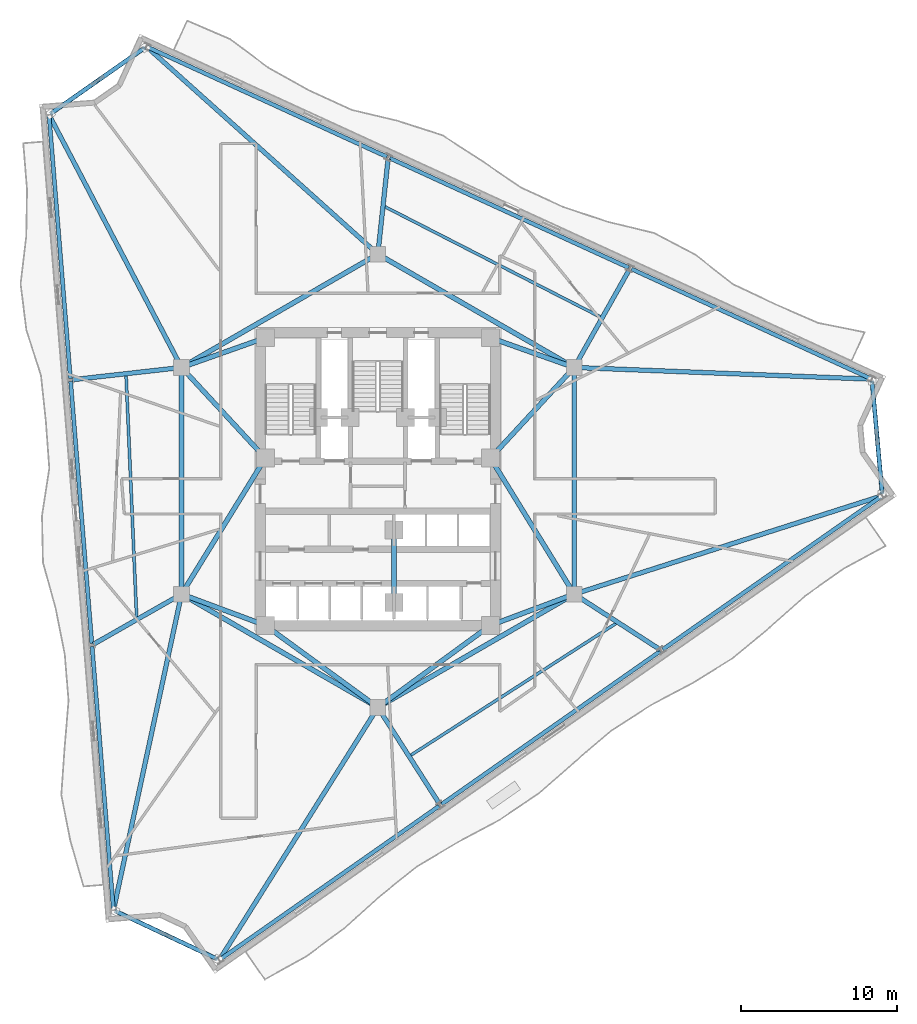
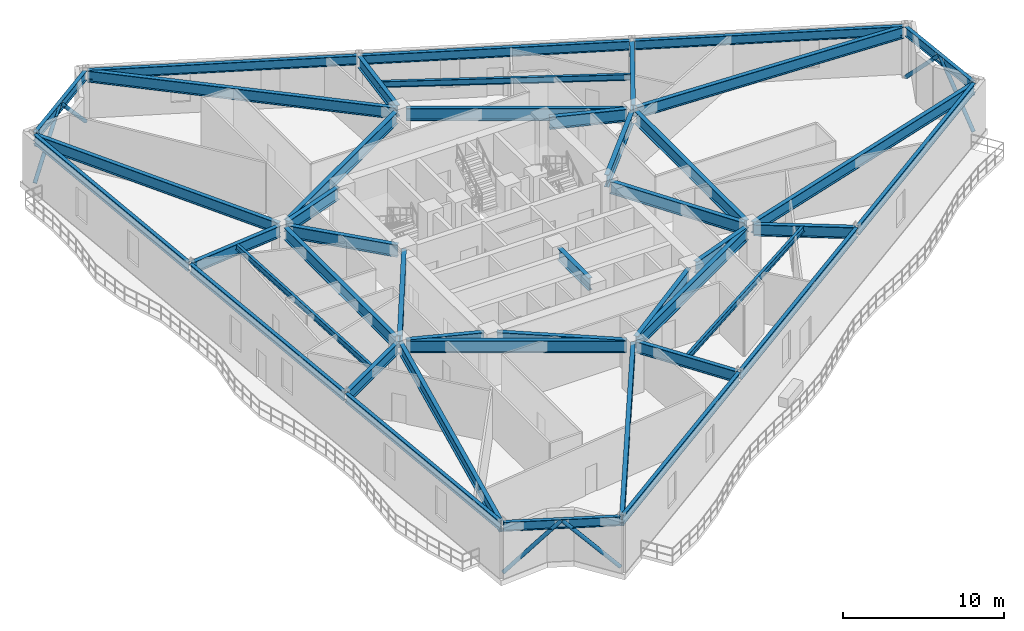
# One storey, part 3 of 14: 44 beams, 6 members.
"""IFC4 building model written with IfcOpenShell, lengths in metres."""

from ifc_helpers import new_model, si_unit, direction, frame, origin, origin_2d, place, context, subcontext, project, spatial, hollow_circle, i_section, extrude, material, material_profile, profile_set, type_object, element, save


model = new_model("IFC4")

# Units and contexts
model_context = context("Model", 3, precision=1e-05, world=origin(), true_north=direction((0.0, 1.0)))
body_context = subcontext(model_context, "Body", "Model", "MODEL_VIEW")
ifc_project = project(units=[si_unit("LENGTHUNIT", "METRE"), si_unit("AREAUNIT", "SQUARE_METRE"), si_unit("VOLUMEUNIT", "CUBIC_METRE"), si_unit("PLANEANGLEUNIT", "RADIAN"), si_unit("MASSUNIT", "GRAM", prefix="KILO")], contexts=[model_context])

# Site, building, storey
site_placement = place(None, origin())
site = spatial("IfcSite", under=ifc_project, at=site_placement, CompositionType="ELEMENT")
building_placement = place(site_placement, origin())
building = spatial("IfcBuilding", under=site, at=building_placement, Name="Apsidion Concourse Tower", CompositionType="ELEMENT")
storey_placement = place(building_placement, frame((0.0, 0.0, 194.199951171875)))
storey = spatial("IfcBuildingStorey", under=building, at=storey_placement, Name="L45", CompositionType="ELEMENT", Elevation=194.199951171875)

# Beams
ifc_material_1 = material(Name="Structural steel ASTM A992 Grade 50", Category="steel")
ifc_material_profile_1 = material_profile(ifc_material_1, i_section(OverallWidth=0.19091796875, OverallDepth=0.45703125, WebThickness=0.009033203125, FlangeThickness=0.014404296875, at=origin_2d()), Name="W18X50")
ifc_profile_set_1 = profile_set([ifc_material_profile_1], Name="Structural steel ASTM A992 Grade 50")
beam_type_1 = type_object("IfcBeamType", Name="BM-FL-W18", PredefinedType="BEAM", material=ifc_profile_set_1)
beam_1_placement = place(storey_placement, frame((-16.11181640625, 6.8505859375, 3.62158203125), z_axis=(0.043631006422, -0.999047714215, 0.0), x_axis=(0.999047714215, 0.043631006422, 0.0)))
element("IfcBeam", 1, at=beam_1_placement, inside=storey, type_object=beam_type_1, Name="L45 Secondary Floor Beam SEC-F1", PredefinedType="BEAM", context=body_context, shape_type="SweptSolid", body=[
    extrude(i_section(OverallWidth=0.19091796875, OverallDepth=0.45703125, WebThickness=0.009033203125, FlangeThickness=0.014404296875, at=origin_2d()), origin(), (0.0, 0.0, 1.0), 15.745849609375),
])
beam_2_placement = place(storey_placement, frame((1.998291015625, -17.62744140625, 3.62158203125), z_axis=(0.841372392943, 0.540455822796, 0.0), x_axis=(-0.540455822796, 0.841372392943, 0.0)))
element("IfcBeam", 2, at=beam_2_placement, inside=storey, type_object=beam_type_1, Name="L45 Secondary Floor Beam SEC-F2", PredefinedType="BEAM", context=body_context, shape_type="SweptSolid", body=[
    extrude(i_section(OverallWidth=0.19091796875, OverallDepth=0.45703125, WebThickness=0.009033203125, FlangeThickness=0.014404296875, at=origin_2d()), origin(), (0.0, 0.0, 1.0), 15.866943359375),
])
beam_3_placement = place(storey_placement, frame((14.345947265625, 10.4208984375, 3.62158203125), z_axis=(-0.89021964365, 0.455531542332, 0.0), x_axis=(-0.455531542332, -0.89021964365, 0.0)))
element("IfcBeam", 3, at=beam_3_placement, inside=storey, type_object=beam_type_1, Name="L45 Secondary Floor Beam SEC-F3", PredefinedType="BEAM", context=body_context, shape_type="SweptSolid", body=[
    extrude(i_section(OverallWidth=0.19091796875, OverallDepth=0.45703125, WebThickness=0.009033203125, FlangeThickness=0.014404296875, at=origin_2d()), origin(), (0.0, 0.0, 1.0), 15.742431640625),
])
ifc_material_profile_2 = material_profile(ifc_material_1, i_section(OverallWidth=0.2919921875, OverallDepth=0.85888671875, WebThickness=0.01708984375, FlangeThickness=0.031005859375, at=origin_2d()), Name="W33X169")
ifc_profile_set_2 = profile_set([ifc_material_profile_2], Name="Structural steel ASTM A992 Grade 50")
beam_type_2 = type_object("IfcBeamType", Name="BM-G-W33", PredefinedType="USERDEFINED", material=ifc_profile_set_2)
beam_4_placement = place(storey_placement, frame((-12.662109375, 7.44482421875, 3.420654296875), z_axis=(-0.464502454228, 0.885571832217, 0.0), x_axis=(-0.885571832217, -0.464502454228, 0.0)))
element("IfcBeam", 4, at=beam_4_placement, inside=storey, type_object=beam_type_2, Name="L45 Radial Floor Girder RAD-01", ObjectType="GIRDER", PredefinedType="USERDEFINED", context=body_context, shape_type="SweptSolid", body=[
    extrude(i_section(OverallWidth=0.2919921875, OverallDepth=0.85888671875, WebThickness=0.01708984375, FlangeThickness=0.031005859375, at=origin_2d()), origin(), (0.0, 0.0, 1.0), 17.93115234375),
])
beam_5_placement = place(storey_placement, frame((-12.778564453125, 7.225341796875, 3.420654296875), z_axis=(-0.993738563009, -0.111730337821, 0.0), x_axis=(0.111730337821, -0.993738563009, 0.0)))
element("IfcBeam", 5, at=beam_5_placement, inside=storey, type_object=beam_type_2, Name="L45 Radial Floor Girder RAD-02", ObjectType="GIRDER", PredefinedType="USERDEFINED", context=body_context, shape_type="SweptSolid", body=[
    extrude(i_section(OverallWidth=0.2919921875, OverallDepth=0.85888671875, WebThickness=0.01708984375, FlangeThickness=0.031005859375, at=origin_2d()), origin(), (0.0, 0.0, 1.0), 6.828369140625),
])
beam_6_placement = place(storey_placement, frame((-12.751220703125, -7.35888671875, 3.420654296875), z_axis=(-0.869137581248, -0.494570384134, 0.0), x_axis=(0.494570384134, -0.869137581248, 0.0)))
element("IfcBeam", 6, at=beam_6_placement, inside=storey, type_object=beam_type_2, Name="L45 Radial Floor Girder RAD-03", ObjectType="GIRDER", PredefinedType="USERDEFINED", context=body_context, shape_type="SweptSolid", body=[
    extrude(i_section(OverallWidth=0.2919921875, OverallDepth=0.85888671875, WebThickness=0.01708984375, FlangeThickness=0.031005859375, at=origin_2d()), origin(), (0.0, 0.0, 1.0), 6.272216796875),
])
beam_7_placement = place(storey_placement, frame((-12.606201171875, -7.465087890625, 3.420654296875), z_axis=(-0.210551493457, -0.97758276816, 0.0), x_axis=(0.97758276816, -0.210551493457, 0.0)))
element("IfcBeam", 7, at=beam_7_placement, inside=storey, type_object=beam_type_2, Name="L45 Radial Floor Girder RAD-04", ObjectType="GIRDER", PredefinedType="USERDEFINED", context=body_context, shape_type="SweptSolid", body=[
    extrude(i_section(OverallWidth=0.2919921875, OverallDepth=0.85888671875, WebThickness=0.01708984375, FlangeThickness=0.031005859375, at=origin_2d()), origin(), (0.0, 0.0, 1.0), 20.365966796875),
])
beam_8_placement = place(storey_placement, frame((-0.116943359375, -14.686279296875, 3.420654296875), z_axis=(-0.531745770751, -0.846904029562, 0.0), x_axis=(0.846904029562, -0.531745770751, 0.0)))
element("IfcBeam", 8, at=beam_8_placement, inside=storey, type_object=beam_type_2, Name="L45 Radial Floor Girder RAD-05", ObjectType="GIRDER", PredefinedType="USERDEFINED", context=body_context, shape_type="SweptSolid", body=[
    extrude(i_section(OverallWidth=0.2919921875, OverallDepth=0.85888671875, WebThickness=0.01708984375, FlangeThickness=0.031005859375, at=origin_2d()), origin(), (0.0, 0.0, 1.0), 18.7568359375),
])
beam_9_placement = place(storey_placement, frame((0.118408203125, -14.685302734375, 3.420654296875), z_axis=(0.538373682335, -0.842706222933, 0.0), x_axis=(0.842706222933, 0.538373682335, 0.0)))
element("IfcBeam", 9, at=beam_9_placement, inside=storey, type_object=beam_type_2, Name="L45 Radial Floor Girder RAD-06", ObjectType="GIRDER", PredefinedType="USERDEFINED", context=body_context, shape_type="SweptSolid", body=[
    extrude(i_section(OverallWidth=0.2919921875, OverallDepth=0.85888671875, WebThickness=0.01708984375, FlangeThickness=0.031005859375, at=origin_2d()), origin(), (0.0, 0.0, 1.0), 7.102783203125),
])
beam_10_placement = place(storey_placement, frame((12.744873046875, -7.369384765625, 3.420654296875), z_axis=(0.839870608356, -0.542786662714, 0.0), x_axis=(0.542786662714, 0.839870608356, 0.0)))
element("IfcBeam", 10, at=beam_10_placement, inside=storey, type_object=beam_type_2, Name="L45 Radial Floor Girder RAD-07", ObjectType="GIRDER", PredefinedType="USERDEFINED", context=body_context, shape_type="SweptSolid", body=[
    extrude(i_section(OverallWidth=0.2919921875, OverallDepth=0.85888671875, WebThickness=0.01708984375, FlangeThickness=0.031005859375, at=origin_2d()), origin(), (0.0, 0.0, 1.0), 6.319580078125),
])
beam_11_placement = place(storey_placement, frame((12.76953125, -7.18310546875, 3.420654296875), z_axis=(0.952593847726, 0.304244903449, 0.0), x_axis=(-0.304244903449, 0.952593847726, 0.0)))
element("IfcBeam", 11, at=beam_11_placement, inside=storey, type_object=beam_type_2, Name="L45 Radial Floor Girder RAD-08", ObjectType="GIRDER", PredefinedType="USERDEFINED", context=body_context, shape_type="SweptSolid", body=[
    extrude(i_section(OverallWidth=0.2919921875, OverallDepth=0.85888671875, WebThickness=0.01708984375, FlangeThickness=0.031005859375, at=origin_2d()), origin(), (0.0, 0.0, 1.0), 20.378173828125),
])
beam_12_placement = place(storey_placement, frame((12.77978515625, 7.2412109375, 3.420654296875), z_axis=(0.999223835847, -0.039391951902, 0.0), x_axis=(0.039391951902, 0.999223835847, 0.0)))
element("IfcBeam", 12, at=beam_12_placement, inside=storey, type_object=beam_type_2, Name="L45 Radial Floor Girder RAD-09", ObjectType="GIRDER", PredefinedType="USERDEFINED", context=body_context, shape_type="SweptSolid", body=[
    extrude(i_section(OverallWidth=0.2919921875, OverallDepth=0.85888671875, WebThickness=0.01708984375, FlangeThickness=0.031005859375, at=origin_2d()), origin(), (0.0, 0.0, 1.0), 18.73583984375),
])
beam_13_placement = place(storey_placement, frame((12.66796875, 7.441650390625, 3.420654296875), z_axis=(0.4907642116, 0.871292424283, 0.0), x_axis=(-0.871292424283, 0.4907642116, 0.0)))
element("IfcBeam", 13, at=beam_13_placement, inside=storey, type_object=beam_type_2, Name="L45 Radial Floor Girder RAD-10", ObjectType="GIRDER", PredefinedType="USERDEFINED", context=body_context, shape_type="SweptSolid", body=[
    extrude(i_section(OverallWidth=0.2919921875, OverallDepth=0.85888671875, WebThickness=0.01708984375, FlangeThickness=0.031005859375, at=origin_2d()), origin(), (0.0, 0.0, 1.0), 6.95849609375),
])
beam_14_placement = place(storey_placement, frame((0.0234375, 14.71875, 3.420654296875), z_axis=(0.106642710953, 0.994297406313, 0.0), x_axis=(-0.994297406313, 0.106642710953, 0.0)))
element("IfcBeam", 14, at=beam_14_placement, inside=storey, type_object=beam_type_2, Name="L45 Radial Floor Girder RAD-11", ObjectType="GIRDER", PredefinedType="USERDEFINED", context=body_context, shape_type="SweptSolid", body=[
    extrude(i_section(OverallWidth=0.2919921875, OverallDepth=0.85888671875, WebThickness=0.01708984375, FlangeThickness=0.031005859375, at=origin_2d()), origin(), (0.0, 0.0, 1.0), 5.899658203125),
])
beam_15_placement = place(storey_placement, frame((-0.163818359375, 14.64697265625, 3.420654296875), z_axis=(-0.74450463884, 0.667617287632, 0.0), x_axis=(-0.667617287632, -0.74450463884, 0.0)))
element("IfcBeam", 15, at=beam_15_placement, inside=storey, type_object=beam_type_2, Name="L45 Radial Floor Girder RAD-12", ObjectType="GIRDER", PredefinedType="USERDEFINED", context=body_context, shape_type="SweptSolid", body=[
    extrude(i_section(OverallWidth=0.2919921875, OverallDepth=0.85888671875, WebThickness=0.01708984375, FlangeThickness=0.031005859375, at=origin_2d()), origin(), (0.0, 0.0, 1.0), 19.566162109375),
])
ifc_material_profile_3 = material_profile(ifc_material_1, i_section(OverallWidth=0.31005859375, OverallDepth=0.931884765625, WebThickness=0.02099609375, FlangeThickness=0.034423828125, at=origin_2d()), Name="W36X210")
ifc_profile_set_3 = profile_set([ifc_material_profile_3], Name="Structural steel ASTM A992 Grade 50")
beam_type_3 = type_object("IfcBeamType", Name="BM-G-W36", PredefinedType="USERDEFINED", material=ifc_profile_set_3)
beam_16_placement = place(storey_placement, frame((-12.185302734375, -7.389892578125, 3.384033203125), z_axis=(0.936913021145, -0.349562570664, 0.0), x_axis=(0.349562570664, 0.936913021145, 0.0)))
element("IfcBeam", 16, at=beam_16_placement, inside=storey, type_object=beam_type_3, Name="L45 Core Coupling Girder IC1-SC1", ObjectType="GIRDER", PredefinedType="USERDEFINED", context=body_context, shape_type="SweptSolid", body=[
    extrude(i_section(OverallWidth=0.31005859375, OverallDepth=0.931884765625, WebThickness=0.02099609375, FlangeThickness=0.034423828125, at=origin_2d()), origin(), (0.0, 0.0, 1.0), 4.921142578125),
])
beam_17_placement = place(storey_placement, frame((-12.35009765625, -6.909423828125, 3.384033203125), z_axis=(0.524524009763, 0.851395656074, 0.0), x_axis=(-0.851395656074, 0.524524009763, 0.0)))
element("IfcBeam", 17, at=beam_17_placement, inside=storey, type_object=beam_type_3, Name="L45 Core Coupling Girder IC1-SC6", ObjectType="GIRDER", PredefinedType="USERDEFINED", context=body_context, shape_type="SweptSolid", body=[
    extrude(i_section(OverallWidth=0.31005859375, OverallDepth=0.931884765625, WebThickness=0.02099609375, FlangeThickness=0.034423828125, at=origin_2d()), origin(), (0.0, 0.0, 1.0), 9.41845703125),
])
beam_18_placement = place(storey_placement, frame((12.185302734375, -7.389892578125, 3.384033203125), z_axis=(-0.936913021145, -0.349562570664, 0.0), x_axis=(0.349562570664, -0.936913021145, 0.0)))
element("IfcBeam", 18, at=beam_18_placement, inside=storey, type_object=beam_type_3, Name="L45 Core Coupling Girder IC2-SC2", ObjectType="GIRDER", PredefinedType="USERDEFINED", context=body_context, shape_type="SweptSolid", body=[
    extrude(i_section(OverallWidth=0.31005859375, OverallDepth=0.931884765625, WebThickness=0.02099609375, FlangeThickness=0.034423828125, at=origin_2d()), origin(), (0.0, 0.0, 1.0), 4.921142578125),
])
beam_19_placement = place(storey_placement, frame((12.35009765625, -6.909423828125, 3.384033203125), z_axis=(-0.524524009763, 0.851395656074, 0.0), x_axis=(-0.851395656074, -0.524524009763, 0.0)))
element("IfcBeam", 19, at=beam_19_placement, inside=storey, type_object=beam_type_3, Name="L45 Core Coupling Girder IC2-SC3", ObjectType="GIRDER", PredefinedType="USERDEFINED", context=body_context, shape_type="SweptSolid", body=[
    extrude(i_section(OverallWidth=0.31005859375, OverallDepth=0.931884765625, WebThickness=0.02099609375, FlangeThickness=0.034423828125, at=origin_2d()), origin(), (0.0, 0.0, 1.0), 9.41845703125),
])
beam_20_placement = place(storey_placement, frame((12.28857421875, 6.956298828125, 3.384033203125), z_axis=(-0.678712876106, -0.73440372535, 0.0), x_axis=(0.73440372535, -0.678712876106, 0.0)))
element("IfcBeam", 20, at=beam_20_placement, inside=storey, type_object=beam_type_3, Name="L45 Core Coupling Girder IC3-SC3", ObjectType="GIRDER", PredefinedType="USERDEFINED", context=body_context, shape_type="SweptSolid", body=[
    extrude(i_section(OverallWidth=0.31005859375, OverallDepth=0.931884765625, WebThickness=0.02099609375, FlangeThickness=0.034423828125, at=origin_2d()), origin(), (0.0, 0.0, 1.0), 7.097412109375),
])
beam_21_placement = place(storey_placement, frame((12.18310546875, 7.383544921875, 3.384033203125), z_axis=(-0.942533844539, 0.334110688094, 0.0), x_axis=(-0.334110688094, -0.942533844539, 0.0)))
element("IfcBeam", 21, at=beam_21_placement, inside=storey, type_object=beam_type_3, Name="L45 Core Coupling Girder IC3-SC4", ObjectType="GIRDER", PredefinedType="USERDEFINED", context=body_context, shape_type="SweptSolid", body=[
    extrude(i_section(OverallWidth=0.31005859375, OverallDepth=0.931884765625, WebThickness=0.02099609375, FlangeThickness=0.034423828125, at=origin_2d()), origin(), (0.0, 0.0, 1.0), 4.886962890625),
])
beam_22_placement = place(storey_placement, frame((-12.28857421875, 6.956298828125, 3.384033203125), z_axis=(0.678712876106, -0.73440372535, 0.0), x_axis=(0.73440372535, 0.678712876106, 0.0)))
element("IfcBeam", 22, at=beam_22_placement, inside=storey, type_object=beam_type_3, Name="L45 Core Coupling Girder IC5-SC6", ObjectType="GIRDER", PredefinedType="USERDEFINED", context=body_context, shape_type="SweptSolid", body=[
    extrude(i_section(OverallWidth=0.31005859375, OverallDepth=0.931884765625, WebThickness=0.02099609375, FlangeThickness=0.034423828125, at=origin_2d()), origin(), (0.0, 0.0, 1.0), 7.097412109375),
])
beam_23_placement = place(storey_placement, frame((-12.18310546875, 7.383544921875, 3.384033203125), z_axis=(0.942533844539, 0.334110688094, 0.0), x_axis=(-0.334110688094, 0.942533844539, 0.0)))
element("IfcBeam", 23, at=beam_23_placement, inside=storey, type_object=beam_type_3, Name="L45 Core Coupling Girder IC5-SC5", ObjectType="GIRDER", PredefinedType="USERDEFINED", context=body_context, shape_type="SweptSolid", body=[
    extrude(i_section(OverallWidth=0.31005859375, OverallDepth=0.931884765625, WebThickness=0.02099609375, FlangeThickness=0.034423828125, at=origin_2d()), origin(), (0.0, 0.0, 1.0), 4.886962890625),
])
for number, where, z_axis, x_axis, name in (
    (24, (-0.3232421875, -14.264404296875, 3.384033203125), (-0.807993498909, 0.589191399905, 0.0), (-0.589191399905, -0.807993498909, 0.0), "L45 Core Coupling Girder IC6-SC1"),
    (25, (0.3232421875, -14.264404296875, 3.384033203125), (0.807993498909, 0.589191399905, 0.0), (-0.589191399905, 0.807993498909, 0.0), "L45 Core Coupling Girder IC6-SC2"),
):
    element("IfcBeam", number, at=place(storey_placement, frame(where, z_axis=z_axis, x_axis=x_axis)), inside=storey, type_object=beam_type_3, Name=name, ObjectType="GIRDER", PredefinedType="USERDEFINED", context=body_context, shape_type="SweptSolid", body=[
        extrude(i_section(OverallWidth=0.31005859375, OverallDepth=0.931884765625, WebThickness=0.02099609375, FlangeThickness=0.034423828125, at=origin_2d()), origin(), (0.0, 0.0, 1.0), 8.11083984375),
    ])
beam_24_placement = place(storey_placement, frame((-12.56005859375, -6.85009765625, 3.384033203125), z_axis=(0.0, 1.0, 0.0), x_axis=(-1.0, 0.0, 0.0)))
element("IfcBeam", 26, at=beam_24_placement, inside=storey, type_object=beam_type_3, Name="L45 Core Coupling Girder IC1-IC5", ObjectType="GIRDER", PredefinedType="USERDEFINED", context=body_context, shape_type="SweptSolid", body=[
    extrude(i_section(OverallWidth=0.31005859375, OverallDepth=0.931884765625, WebThickness=0.02099609375, FlangeThickness=0.034423828125, at=origin_2d()), origin(), (0.0, 0.0, 1.0), 13.7001953125),
])
for number, where, z_axis, x_axis, name in (
    (27, (-12.213623046875, 7.449951171875, 3.384033203125), (0.866070471464, 0.499921932364, 0.0), (-0.499921932364, 0.866070471464, 0.0), "L45 Core Coupling Girder IC5-IC4"),
    (28, (0.346435546875, 14.300048828125, 3.384033203125), (0.866070471464, -0.499921932364, 0.0), (0.499921932364, 0.866070471464, 0.0), "L45 Core Coupling Girder IC4-IC3"),
):
    element("IfcBeam", number, at=place(storey_placement, frame(where, z_axis=z_axis, x_axis=x_axis)), inside=storey, type_object=beam_type_3, Name=name, ObjectType="GIRDER", PredefinedType="USERDEFINED", context=body_context, shape_type="SweptSolid", body=[
        extrude(i_section(OverallWidth=0.31005859375, OverallDepth=0.931884765625, WebThickness=0.02099609375, FlangeThickness=0.034423828125, at=origin_2d()), origin(), (0.0, 0.0, 1.0), 13.702392578125),
    ])
beam_25_placement = place(storey_placement, frame((12.56005859375, 6.85009765625, 3.384033203125), z_axis=(0.0, -1.0, 0.0), x_axis=(1.0, 0.0, 0.0)))
element("IfcBeam", 29, at=beam_25_placement, inside=storey, type_object=beam_type_3, Name="L45 Core Coupling Girder IC3-IC2", ObjectType="GIRDER", PredefinedType="USERDEFINED", context=body_context, shape_type="SweptSolid", body=[
    extrude(i_section(OverallWidth=0.31005859375, OverallDepth=0.931884765625, WebThickness=0.02099609375, FlangeThickness=0.034423828125, at=origin_2d()), origin(), (0.0, 0.0, 1.0), 13.7001953125),
])
for number, where, z_axis, x_axis, name in (
    (30, (12.213623046875, -7.449951171875, 3.384033203125), (-0.866070471464, -0.499921932364, 0.0), (0.499921932364, -0.866070471464, 0.0), "L45 Core Coupling Girder IC2-IC6"),
    (31, (-0.346435546875, -14.300048828125, 3.384033203125), (-0.866070471464, 0.499921932364, 0.0), (-0.499921932364, -0.866070471464, 0.0), "L45 Core Coupling Girder IC6-IC1"),
):
    element("IfcBeam", number, at=place(storey_placement, frame(where, z_axis=z_axis, x_axis=x_axis)), inside=storey, type_object=beam_type_3, Name=name, ObjectType="GIRDER", PredefinedType="USERDEFINED", context=body_context, shape_type="SweptSolid", body=[
        extrude(i_section(OverallWidth=0.31005859375, OverallDepth=0.931884765625, WebThickness=0.02099609375, FlangeThickness=0.034423828125, at=origin_2d()), origin(), (0.0, 0.0, 1.0), 13.702392578125),
    ])
beam_26_placement = place(storey_placement, frame((1.02490234375, -3.550048828125, 3.384033203125), z_axis=(0.0, -1.0, 0.0), x_axis=(1.0, 0.0, 0.0)))
element("IfcBeam", 32, at=beam_26_placement, inside=storey, type_object=beam_type_3, Name="L45 Core Coupling Girder CC5-CC6", ObjectType="GIRDER", PredefinedType="USERDEFINED", context=body_context, shape_type="SweptSolid", body=[
    extrude(i_section(OverallWidth=0.31005859375, OverallDepth=0.931884765625, WebThickness=0.02099609375, FlangeThickness=0.034423828125, at=origin_2d()), origin(), (0.0, 0.0, 1.0), 3.849853515625),
])
ifc_material_profile_4 = material_profile(ifc_material_1, i_section(OverallWidth=0.256103515625, OverallDepth=0.693115234375, WebThickness=0.014404296875, FlangeThickness=0.023681640625, at=origin_2d()), Name="W27X114")
ifc_profile_set_4 = profile_set([ifc_material_profile_4], Name="Structural steel ASTM A992 Grade 50")
beam_type_4 = type_object("IfcBeamType", Name="BM-SP-W27", PredefinedType="SPANDREL", material=ifc_profile_set_4)
for number, where, z_axis, x_axis, name in (
    (33, (-21.029541015625, 23.31298828125, 3.503662109375), (0.080745704709, -0.996734734607, 0.0), (0.996734734607, 0.080745704709, 0.0), "L45 Perimeter Spandrel Girder SP-01"),
    (34, (-19.655517578125, 6.351318359375, 3.503662109375), (0.080745704709, -0.996734734607, 0.0), (0.996734734607, 0.080745704709, 0.0), "L45 Perimeter Spandrel Girder SP-02"),
):
    element("IfcBeam", number, at=place(storey_placement, frame(where, z_axis=z_axis, x_axis=x_axis)), inside=storey, type_object=beam_type_4, Name=name, PredefinedType="SPANDREL", context=body_context, shape_type="SweptSolid", body=[
        extrude(i_section(OverallWidth=0.256103515625, OverallDepth=0.693115234375, WebThickness=0.014404296875, FlangeThickness=0.023681640625, at=origin_2d()), origin(), (0.0, 0.0, 1.0), 16.817138671875),
    ])
beam_27_placement = place(storey_placement, frame((-18.281494140625, -10.610107421875, 3.503662109375), z_axis=(0.080744536336, -0.996734829256, 0.0), x_axis=(0.996734829256, 0.080744536336, 0.0)))
element("IfcBeam", 35, at=beam_27_placement, inside=storey, type_object=beam_type_4, Name="L45 Perimeter Spandrel Girder SP-03", PredefinedType="SPANDREL", context=body_context, shape_type="SweptSolid", body=[
    extrude(i_section(OverallWidth=0.256103515625, OverallDepth=0.693115234375, WebThickness=0.014404296875, FlangeThickness=0.023681640625, at=origin_2d()), origin(), (0.0, 0.0, 1.0), 16.8173828125),
])
beam_28_placement = place(storey_placement, frame((-16.824951171875, -27.514892578125, 3.503662109375), z_axis=(0.904961486734, -0.425493487057, 0.0), x_axis=(0.425493487057, 0.904961486734, 0.0)))
element("IfcBeam", 36, at=beam_28_placement, inside=storey, type_object=beam_type_4, Name="L45 Perimeter Spandrel Girder SP-04", PredefinedType="SPANDREL", context=body_context, shape_type="SweptSolid", body=[
    extrude(i_section(OverallWidth=0.256103515625, OverallDepth=0.693115234375, WebThickness=0.014404296875, FlangeThickness=0.023681640625, at=origin_2d()), origin(), (0.0, 0.0, 1.0), 7.282470703125),
])
beam_29_placement = place(storey_placement, frame((-10.06201171875, -30.598876953125, 3.503662109375), z_axis=(0.819150571533, 0.573578539659, 0.0), x_axis=(-0.573578539659, 0.819150571533, 0.0)))
element("IfcBeam", 37, at=beam_29_placement, inside=storey, type_object=beam_type_4, Name="L45 Perimeter Spandrel Girder SP-05", PredefinedType="SPANDREL", context=body_context, shape_type="SweptSolid", body=[
    extrude(i_section(OverallWidth=0.256103515625, OverallDepth=0.693115234375, WebThickness=0.014404296875, FlangeThickness=0.023681640625, at=origin_2d()), origin(), (0.0, 0.0, 1.0), 17.06201171875),
])
beam_30_placement = place(storey_placement, frame((4.078125, -20.69775390625, 3.503662109375), z_axis=(0.81915527902, 0.573571816649, 0.0), x_axis=(-0.573571816649, 0.81915527902, 0.0)))
element("IfcBeam", 38, at=beam_30_placement, inside=storey, type_object=beam_type_4, Name="L45 Perimeter Spandrel Girder SP-06", PredefinedType="SPANDREL", context=body_context, shape_type="SweptSolid", body=[
    extrude(i_section(OverallWidth=0.256103515625, OverallDepth=0.693115234375, WebThickness=0.014404296875, FlangeThickness=0.023681640625, at=origin_2d()), origin(), (0.0, 0.0, 1.0), 17.062255859375),
])
beam_31_placement = place(storey_placement, frame((18.218505859375, -10.79638671875, 3.503662109375), z_axis=(0.81916200197, 0.573562215046, 0.0), x_axis=(-0.573562215046, 0.81916200197, 0.0)))
element("IfcBeam", 39, at=beam_31_placement, inside=storey, type_object=beam_type_4, Name="L45 Perimeter Spandrel Girder SP-07", PredefinedType="SPANDREL", context=body_context, shape_type="SweptSolid", body=[
    extrude(i_section(OverallWidth=0.256103515625, OverallDepth=0.693115234375, WebThickness=0.014404296875, FlangeThickness=0.023681640625, at=origin_2d()), origin(), (0.0, 0.0, 1.0), 17.06201171875),
])
beam_32_placement = place(storey_placement, frame((32.267822265625, -0.853271484375, 3.503662109375), z_axis=(-0.090345320994, 0.99591049948, 0.0), x_axis=(-0.99591049948, -0.090345320994, 0.0)))
element("IfcBeam", 40, at=beam_32_placement, inside=storey, type_object=beam_type_4, Name="L45 Perimeter Spandrel Girder SP-08", PredefinedType="SPANDREL", context=body_context, shape_type="SweptSolid", body=[
    extrude(i_section(OverallWidth=0.256103515625, OverallDepth=0.693115234375, WebThickness=0.014404296875, FlangeThickness=0.023681640625, at=origin_2d()), origin(), (0.0, 0.0, 1.0), 7.28271484375),
])
beam_33_placement = place(storey_placement, frame((31.510009765625, 6.541015625, 3.503662109375), z_axis=(-0.909009828689, 0.416774676949, 0.0), x_axis=(-0.416774676949, -0.909009828689, 0.0)))
element("IfcBeam", 41, at=beam_33_placement, inside=storey, type_object=beam_type_4, Name="L45 Perimeter Spandrel Girder SP-09", PredefinedType="SPANDREL", context=body_context, shape_type="SweptSolid", body=[
    extrude(i_section(OverallWidth=0.256103515625, OverallDepth=0.693115234375, WebThickness=0.014404296875, FlangeThickness=0.023681640625, at=origin_2d()), origin(), (0.0, 0.0, 1.0), 16.8173828125),
])
beam_34_placement = place(storey_placement, frame((16.041015625, 13.63330078125, 3.503662109375), z_axis=(-0.909007306983, 0.416780176893, 0.0), x_axis=(-0.416780176893, -0.909007306983, 0.0)))
element("IfcBeam", 42, at=beam_34_placement, inside=storey, type_object=beam_type_4, Name="L45 Perimeter Spandrel Girder SP-10", PredefinedType="SPANDREL", context=body_context, shape_type="SweptSolid", body=[
    extrude(i_section(OverallWidth=0.256103515625, OverallDepth=0.693115234375, WebThickness=0.014404296875, FlangeThickness=0.023681640625, at=origin_2d()), origin(), (0.0, 0.0, 1.0), 16.817138671875),
])
beam_35_placement = place(storey_placement, frame((0.572509765625, 20.725830078125, 3.503662109375), z_axis=(-0.909009828689, 0.416774676949, 0.0), x_axis=(-0.416774676949, -0.909009828689, 0.0)))
element("IfcBeam", 43, at=beam_35_placement, inside=storey, type_object=beam_type_4, Name="L45 Perimeter Spandrel Girder SP-11", PredefinedType="SPANDREL", context=body_context, shape_type="SweptSolid", body=[
    extrude(i_section(OverallWidth=0.256103515625, OverallDepth=0.693115234375, WebThickness=0.014404296875, FlangeThickness=0.023681640625, at=origin_2d()), origin(), (0.0, 0.0, 1.0), 16.8173828125),
])
beam_36_placement = place(storey_placement, frame((-14.887451171875, 27.71923828125, 3.503662109375), z_axis=(-0.819157596458, -0.57356850695, 0.0), x_axis=(0.57356850695, -0.819157596458, 0.0)))
element("IfcBeam", 44, at=beam_36_placement, inside=storey, type_object=beam_type_4, Name="L45 Perimeter Spandrel Girder SP-12", PredefinedType="SPANDREL", context=body_context, shape_type="SweptSolid", body=[
    extrude(i_section(OverallWidth=0.256103515625, OverallDepth=0.693115234375, WebThickness=0.014404296875, FlangeThickness=0.023681640625, at=origin_2d()), origin(), (0.0, 0.0, 1.0), 7.407958984375),
])

# Members
ifc_material_2 = material(Name="Structural steel ASTM A500 Grade C", Category="steel")
ifc_material_profile_5 = material_profile(ifc_material_2, hollow_circle(Radius=0.136474609375, WallThickness=0.01611328125, at=origin_2d()), Name="CHS273X16")
ifc_profile_set_5 = profile_set([ifc_material_profile_5], Name="Structural steel ASTM A500 Grade C")
member_type = type_object("IfcMemberType", Name="MB-BR-CHS273", PredefinedType="BRACE", material=ifc_profile_set_5)
for number, where, z_axis, x_axis, name in (
    (45, (-16.824951171875, -27.514892578125, 0.0), (0.630418575219, -0.296409296758, 0.717435675733), (0.425493487057, 0.904961486734, 0.0), "L45 Corner Step-Transfer Chevron Brace KN-1-1"),
    (46, (-10.234619140625, -30.613525390625, 0.0), (-0.630418575219, 0.296409296758, 0.717435675733), (-0.425493487057, -0.904961486734, 0.0), "L45 Corner Step-Transfer Chevron Brace KN-1-2"),
    (47, (32.267822265625, -0.853271484375, 0.0), (-0.062961238563, 0.693788010098, 0.717421828134), (-0.995907482646, -0.090378570527, 0.0), "L45 Corner Step-Transfer Chevron Brace KN-2-1"),
    (48, (31.60986328125, 6.399658203125, 0.0), (0.06291471636, -0.6937900496, 0.717423937112), (0.995913515223, 0.09031207116, 0.0), "L45 Corner Step-Transfer Chevron Brace KN-2-2"),
):
    element("IfcMember", number, at=place(storey_placement, frame(where, z_axis=z_axis, x_axis=x_axis)), inside=storey, type_object=member_type, Name=name, PredefinedType="BRACE", context=body_context, shape_type="SweptSolid", body=[
        extrude(hollow_circle(Radius=0.136474609375, WallThickness=0.01611328125, at=origin_2d()), origin(), (0.0, 0.0, 1.0), 5.22705078125),
    ])
for number, where, z_axis, x_axis, name in (
    (49, (-14.887451171875, 27.71923828125, 0.0), (-0.575648299799, -0.403064974642, 0.711454609343), (0.57356850695, -0.819157596458, 0.0), "L45 Corner Step-Transfer Chevron Brace KN-3-1"),
    (50, (-20.955810546875, 23.47021484375, 0.0), (0.575648299799, 0.403064974642, 0.711454609343), (-0.57356850695, 0.819157596458, 0.0), "L45 Corner Step-Transfer Chevron Brace KN-3-2"),
):
    element("IfcMember", number, at=place(storey_placement, frame(where, z_axis=z_axis, x_axis=x_axis)), inside=storey, type_object=member_type, Name=name, PredefinedType="BRACE", context=body_context, shape_type="SweptSolid", body=[
        extrude(hollow_circle(Radius=0.136474609375, WallThickness=0.01611328125, at=origin_2d()), origin(), (0.0, 0.0, 1.0), 5.27099609375),
    ])

save(model, "model.ifc")
